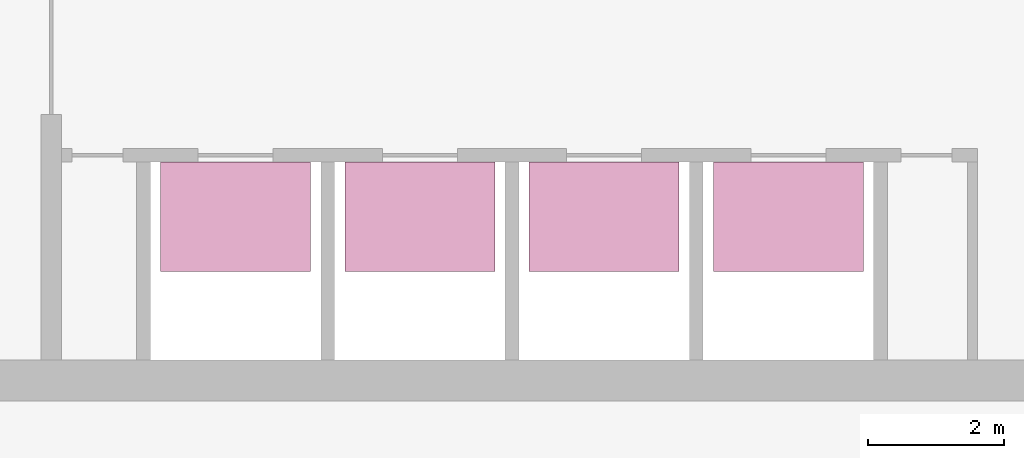
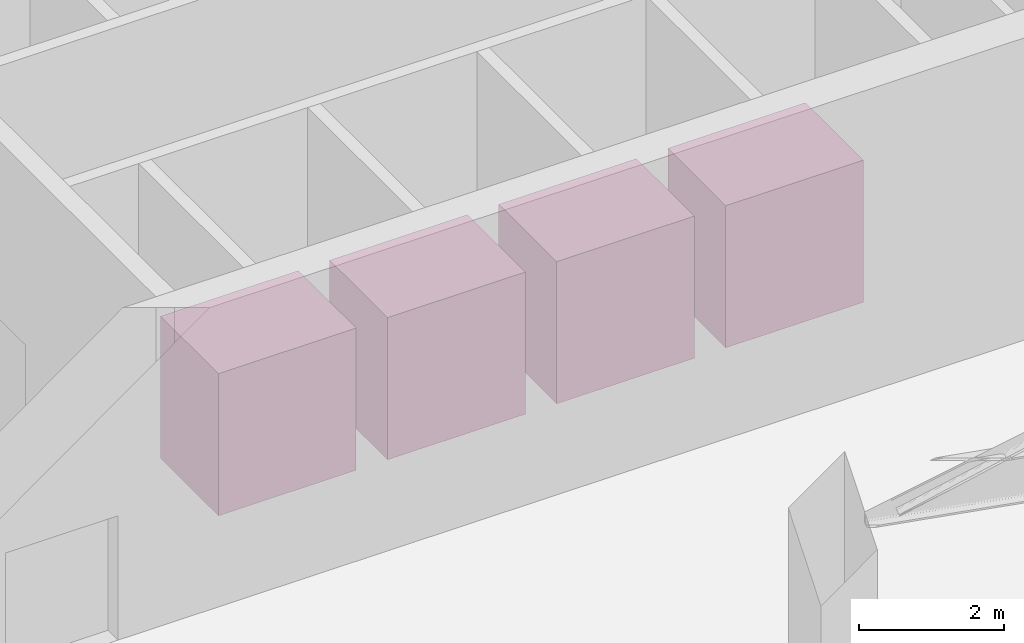
# One storey, part 21 of 21: 4 transport elements.
"""IFC4 building model written with IfcOpenShell, lengths in metres."""

import ifcopenshell
import ifcopenshell.guid

model = None  # the IFC model being written
_history = None  # IfcOwnerHistory: only IFC2X3 demands one
_inside = {}  # id of a spatial element -> (the spatial element, [elements in it])
_under = {}  # id of a project, library or spatial element -> (it, [spatial elements below it])
_declared = {}  # id of a project -> (the project, [libraries it declares])
_typed = {}  # id of a type object -> (the type object, [elements of that type])
_made_of = {}  # id of a material, layer set ... -> (it, [elements and type objects made of it])


def new_model(schema):
    """Start an empty IFC model of exactly this schema.

    Asked for "IFC4X3", IfcOpenShell would pick the latest addendum, in which some entities
    have other attributes; the version numbers below select the first issue.
    IFC2X3 requires an IfcOwnerHistory on every rooted entity: one is made here for all.
    """
    global model, _history
    if schema == "IFC4X3":
        model = ifcopenshell.file(schema_version=(4, 3, 0, 0))
    else:
        model = ifcopenshell.file(schema=schema)
    _inside.clear()
    _under.clear()
    _declared.clear()
    _typed.clear()
    _made_of.clear()
    _history = None
    if model.schema == "IFC2X3":
        org = make("IfcOrganization", Name="unknown")
        user = make(
            "IfcPersonAndOrganization",
            ThePerson=make("IfcPerson", FamilyName="unknown"),
            TheOrganization=org,
        )
        app = make(
            "IfcApplication",
            ApplicationDeveloper=org,
            Version="unknown",
            ApplicationFullName="unknown",
            ApplicationIdentifier="unknown",
        )
        _history = make(
            "IfcOwnerHistory",
            OwningUser=user,
            OwningApplication=app,
            ChangeAction="ADDED",
            CreationDate=0,
        )
    return model


def make(cls, **values):
    """One entity of the class cls with the attributes given. An attribute that is None is left unset."""
    return model.create_entity(
        cls, **{name: value for name, value in values.items() if value is not None}
    )


def rooted(cls, **values):
    """An entity with a GlobalId (a new one), such as an element, a storey or a relation."""
    return make(cls, GlobalId=ifcopenshell.guid.new(), OwnerHistory=_history, **values)


def si_unit(unit_type, name, prefix=None):
    """IfcSIUnit, for example si_unit("LENGTHUNIT", "METRE", prefix="MILLI")."""
    return make("IfcSIUnit", UnitType=unit_type, Prefix=prefix, Name=name)


def assignment(units):
    """IfcUnitAssignment: the units of a project."""
    return None if units is None else make("IfcUnitAssignment", Units=units)


def point(xyz):
    """IfcCartesianPoint."""
    return None if xyz is None else make("IfcCartesianPoint", Coordinates=xyz)


def direction(xyz):
    """IfcDirection."""
    return None if xyz is None else make("IfcDirection", DirectionRatios=xyz)


def frame(location, z_axis=None, x_axis=None):
    """IfcAxis2Placement3D, a coordinate frame: its origin and axes. An axis left out is left unset."""
    return make(
        "IfcAxis2Placement3D",
        Location=point(location),
        Axis=direction(z_axis),
        RefDirection=direction(x_axis),
    )


def frame_2d(location, x_axis=None):
    """IfcAxis2Placement2D, a coordinate frame in the plane: its origin and x axis."""
    return make(
        "IfcAxis2Placement2D", Location=point(location), RefDirection=direction(x_axis)
    )


def origin():
    """The frame at (0, 0, 0) with its axes left unset."""
    return frame((0.0, 0.0, 0.0))


def origin_2d():
    """The frame at (0, 0) in the plane with its x axis left unset."""
    return frame_2d((0.0, 0.0))


def place(relative_to, where):
    """IfcLocalPlacement: puts the frame where relative to a parent placement (None: the world)."""
    return make(
        "IfcLocalPlacement", PlacementRelTo=relative_to, RelativePlacement=where
    )


def context(
    kind, dimensions, precision=None, world=None, true_north=None, identifier=None
):
    """IfcGeometricRepresentationContext, for example the 3D "Model" context."""
    return make(
        "IfcGeometricRepresentationContext",
        ContextIdentifier=identifier,
        ContextType=kind,
        CoordinateSpaceDimension=dimensions,
        Precision=precision,
        WorldCoordinateSystem=world,
        TrueNorth=true_north,
    )


def subcontext(parent, identifier, kind, view, scale=None):
    """IfcGeometricRepresentationSubContext, for example "Body" below "Model"."""
    return make(
        "IfcGeometricRepresentationSubContext",
        ContextIdentifier=identifier,
        ContextType=kind,
        ParentContext=parent,
        TargetScale=scale,
        TargetView=view,
    )


def project(units=None, contexts=None):
    """IfcProject with its units and contexts."""
    return rooted(
        "IfcProject",
        Name="project",
        RepresentationContexts=contexts,
        UnitsInContext=assignment(units),
    )


def spatial(cls, under=None, at=None, **own):
    """A site, building, storey or space (cls), placed at a placement, below another one or the project."""
    s = rooted(cls, ObjectPlacement=at, **own)
    if under is not None:
        _under.setdefault(under.id(), (under, []))[1].append(s)
    return s


def profile(cls, at=None, kind="AREA", **sizes):
    """A parametric profile (cls). Its sizes go by their IFC names, for example OverallWidth=200.0."""
    return make(cls, ProfileType=kind, Position=at, **sizes)


def rectangle(**sizes):
    """IfcRectangleProfileDef."""
    return profile("IfcRectangleProfileDef", **sizes)


def extrude(swept, where, along, depth):
    """IfcExtrudedAreaSolid: the profile swept, set in the frame where, extruded along a direction by depth."""
    return make(
        "IfcExtrudedAreaSolid",
        SweptArea=swept,
        Position=where,
        ExtrudedDirection=direction(along),
        Depth=depth,
    )


def shape(context_of_items, identifier, shape_type, items):
    """IfcShapeRepresentation: the items that make up one representation, for example the "Body"."""
    return make(
        "IfcShapeRepresentation",
        ContextOfItems=context_of_items,
        RepresentationIdentifier=identifier,
        RepresentationType=shape_type,
        Items=items,
    )


def material(Name=None, Category=None):
    """IfcMaterial."""
    return make("IfcMaterial", Name=Name, Category=Category)


def made_of(thing, what):
    """Note that an element or type object is made of a material, layer set ...; save() writes the relation."""
    if what is not None:
        _made_of.setdefault(what.id(), (what, []))[1].append(thing)
    return thing


def type_object(cls, material=None, **own):
    """A type object (cls), such as IfcWallType, which elements share."""
    return made_of(rooted(cls, **own), material)


def element(
    cls,
    number,
    at=None,
    inside=None,
    cuts=None,
    type_object=None,
    material=None,
    context=None,
    identifier="Body",
    shape_type=None,
    held_by="IfcProductDefinitionShape",
    body=None,
    shapes=None,
    **own,
):
    """One element of the class cls, such as IfcWall. Its Tag is "e" and its number.

    at: its placement. inside: the storey or other place that contains it. cuts: it is an
    opening in that element (IfcRelVoidsElement). A single representation is given by context,
    identifier, shape_type and body (its items); several are given by shapes. held_by: the class
    of the entity that holds the representations. save() writes the other relations.
    """
    e = rooted(cls, Tag="e%d" % number, ObjectPlacement=at, **own)
    if body is not None:
        shapes = [shape(context, identifier, shape_type, body)]
    if shapes is not None:
        e.Representation = make(held_by, Representations=shapes)
    if inside is not None:
        _inside.setdefault(inside.id(), (inside, []))[1].append(e)
    if cuts is not None:
        rooted(
            "IfcRelVoidsElement", RelatingBuildingElement=cuts, RelatedOpeningElement=e
        )
    if type_object is not None:
        _typed.setdefault(type_object.id(), (type_object, []))[1].append(e)
    return made_of(e, material)


def aggregate(whole, parts):
    """IfcRelAggregates: a whole, such as a stair, and the parts it consists of."""
    return rooted("IfcRelAggregates", RelatingObject=whole, RelatedObjects=parts)


def save(model, path):
    """Write the relations noted so far, then the file.

    IfcRelAggregates (storeys below a building ...), IfcRelContainedInSpatialStructure (elements
    in a storey), IfcRelDefinesByType, IfcRelAssociatesMaterial and IfcRelDeclares: one each for
    every whole, place, type object, material and project.
    """
    for whole, parts in _under.values():
        aggregate(whole, parts)
    for where, things in _inside.values():
        rooted(
            "IfcRelContainedInSpatialStructure",
            RelatedElements=things,
            RelatingStructure=where,
        )
    for kind, things in _typed.values():
        rooted("IfcRelDefinesByType", RelatedObjects=things, RelatingType=kind)
    for what, things in _made_of.values():
        rooted("IfcRelAssociatesMaterial", RelatedObjects=things, RelatingMaterial=what)
    for by, libraries in _declared.values():
        rooted("IfcRelDeclares", RelatingContext=by, RelatedDefinitions=libraries)
    model.write(path)


model = new_model("IFC4")

# Units and contexts
model_context = context("Model", 3, precision=1e-05, world=origin(), true_north=direction((0.0, 1.0)))
body_context = subcontext(model_context, "Body", "Model", "MODEL_VIEW")
ifc_project = project(units=[si_unit("LENGTHUNIT", "METRE"), si_unit("AREAUNIT", "SQUARE_METRE"), si_unit("VOLUMEUNIT", "CUBIC_METRE"), si_unit("PLANEANGLEUNIT", "RADIAN"), si_unit("MASSUNIT", "GRAM", prefix="KILO")], contexts=[model_context])

# Site, building, storey
site_placement = place(None, origin())
site = spatial("IfcSite", under=ifc_project, at=site_placement, CompositionType="ELEMENT")
building_placement = place(site_placement, origin())
building = spatial("IfcBuilding", under=site, at=building_placement, Name="Meshkara Civic Tower", CompositionType="ELEMENT")
storey_placement = place(building_placement, frame((0.0, 0.0, 284.39990234375)))
storey = spatial("IfcBuildingStorey", under=building, at=storey_placement, Name="L65", CompositionType="ELEMENT", Elevation=284.39990234375)

# Transport elements
ifc_material = material(Name="Stainless steel car lining", Category="steel")
transport_element_type = type_object("IfcTransportElementType", Name="Lift car 2200x1600", PredefinedType="ELEVATOR", material=ifc_material)
for number, where, z_axis, x_axis, name in (
    (1, (15.89990234375, 16.800048828125, 0.000244140625), (0.0, 0.0, 1.0), (1.0, 0.0, 0.0), "High-rise passenger lift HP1"),
    (2, (18.60009765625, 16.800048828125, 0.000244140625), (0.0, 0.0, 1.0), (1.0, 0.0, 0.0), "High-rise passenger lift HP2"),
    (3, (21.300048828125, 16.800048828125, 0.000244140625), (0.0, 0.0, 1.0), (1.0, 0.0, 0.0), "High-rise passenger lift HP3"),
    (4, (24.0, 16.800048828125, 0.000244140625), (0.0, 0.0, 1.0), (1.0, 0.0, 0.0), "High-rise passenger lift HP4"),
):
    element("IfcTransportElement", number, at=place(storey_placement, frame(where, z_axis=z_axis, x_axis=x_axis)), inside=storey, type_object=transport_element_type, Name=name, PredefinedType="ELEVATOR", context=body_context, shape_type="SweptSolid", body=[
        extrude(rectangle(XDim=2.199951171875, YDim=1.60009765625, at=origin_2d()), origin(), (0.0, 0.0, 1.0), 2.39990234375),
    ])

save(model, "model.ifc")
